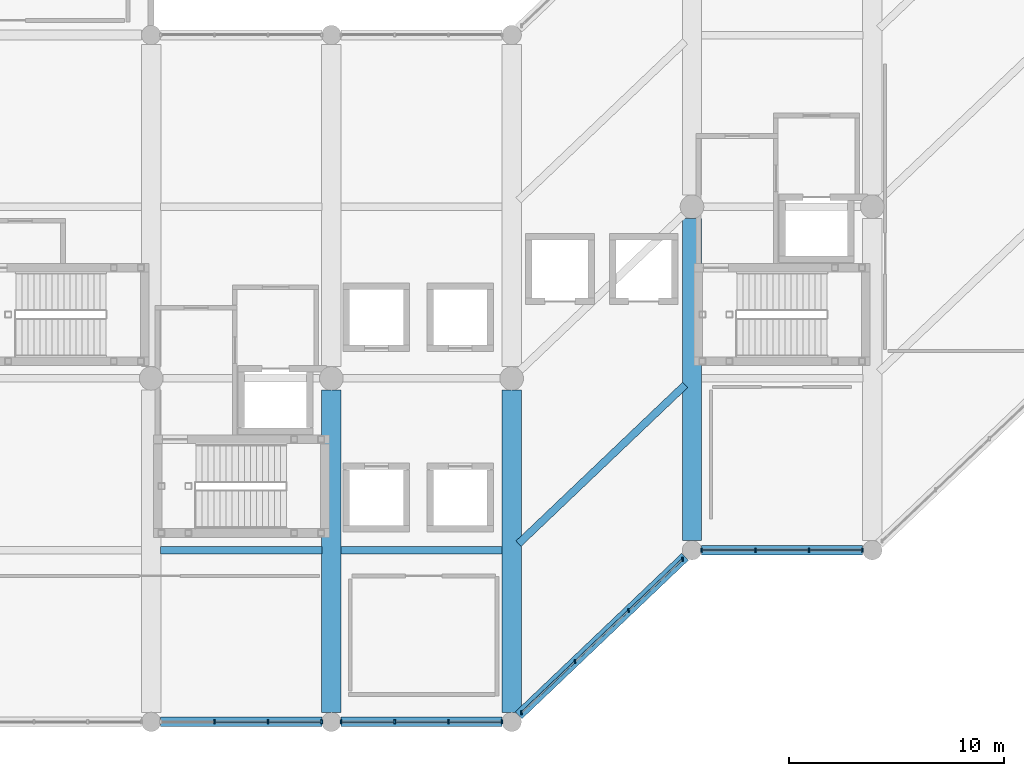
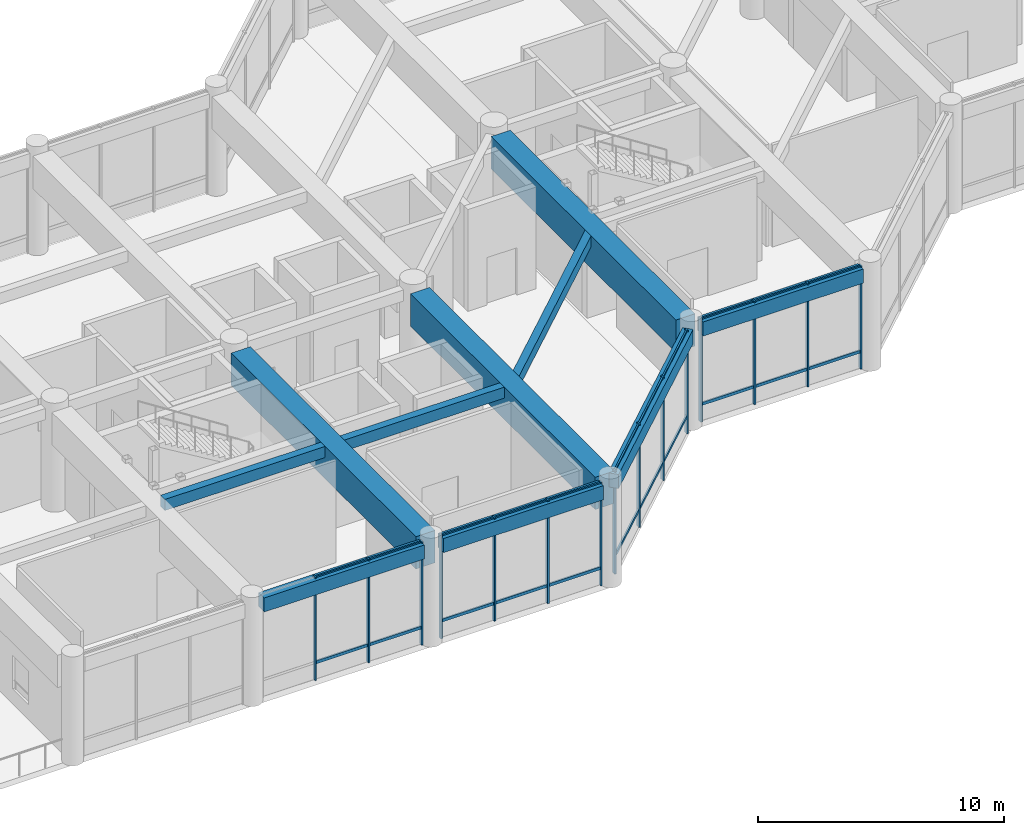
# One storey, part 43 of 79: 37 members, 10 beams, 4 elements without a shape of their own.
"""IFC4 building model written with IfcOpenShell, lengths in metres."""

from ifc_helpers import new_model, si_unit, direction, frame, origin, origin_2d, place, context, subcontext, project, spatial, rectangle, extrude, material, layer, layer_set, material_profile, profile_set, type_object, element, aggregate, save


model = new_model("IFC4")

# Units and contexts
model_context = context("Model", 3, precision=1e-05, world=origin(), true_north=direction((0.0, 1.0)))
body_context = subcontext(model_context, "Body", "Model", "MODEL_VIEW")
ifc_project = project(units=[si_unit("LENGTHUNIT", "METRE"), si_unit("AREAUNIT", "SQUARE_METRE"), si_unit("VOLUMEUNIT", "CUBIC_METRE"), si_unit("PLANEANGLEUNIT", "RADIAN"), si_unit("MASSUNIT", "GRAM", prefix="KILO")], contexts=[model_context])

# Site, building, storey
site_placement = place(None, origin())
site = spatial("IfcSite", under=ifc_project, at=site_placement, CompositionType="ELEMENT")
building_placement = place(site_placement, origin())
building = spatial("IfcBuilding", under=site, at=building_placement, Name="Naruveol Harbour Congress Hotel", CompositionType="ELEMENT")
storey_placement = place(building_placement, frame((0.0, 0.0, 6.0)))
storey = spatial("IfcBuildingStorey", under=building, at=storey_placement, Name="L01", CompositionType="ELEMENT", Elevation=6.0)

# Beams
ifc_material_1 = material(Name="Concrete C40/50", Category="concrete")
ifc_material_profile_1 = material_profile(ifc_material_1, rectangle(XDim=0.35009765625, YDim=0.550048828125, at=origin_2d()), Name="RCB-350x550")
ifc_profile_set_1 = profile_set([ifc_material_profile_1], Name="Concrete C40/50")
beam_type_1 = type_object("IfcBeamType", Name="RC SECONDARY BEAM 350X550", PredefinedType="JOIST", material=ifc_profile_set_1)
beam_1_placement = place(storey_placement, frame((126.44091796875, 8.0, 4.77490234375), z_axis=(1.0, 0.0, 0.0), x_axis=(0.0, 1.0, 0.0)))
element("IfcBeam", 1, at=beam_1_placement, inside=storey, type_object=beam_type_1, Name="Hotel chord beam L02 CJ1", PredefinedType="JOIST", context=body_context, shape_type="SweptSolid", body=[
    extrude(rectangle(XDim=0.35009765625, YDim=0.550048828125, at=origin_2d()), origin(), (0.0, 0.0, 1.0), 7.51806640625),
])
beam_2_placement = place(storey_placement, frame((134.841064453125, 8.0, 4.77490234375), z_axis=(1.0, 0.0, 0.0), x_axis=(0.0, 1.0, 0.0)))
element("IfcBeam", 2, at=beam_2_placement, inside=storey, type_object=beam_type_1, Name="Hotel chord beam L02 CJ1", PredefinedType="JOIST", context=body_context, shape_type="SweptSolid", body=[
    extrude(rectangle(XDim=0.35009765625, YDim=0.550048828125, at=origin_2d()), origin(), (0.0, 0.0, 1.0), 7.517822265625),
])
beam_3_placement = place(storey_placement, frame((143.119384765625, 8.30419921875, 4.77490234375), z_axis=(0.724140097867, 0.689652897232, 0.0), x_axis=(-0.689652897232, 0.724140097867, 0.0)))
element("IfcBeam", 3, at=beam_3_placement, inside=storey, type_object=beam_type_1, Name="Hotel chord beam L02 CJ1", PredefinedType="JOIST", context=body_context, shape_type="SweptSolid", body=[
    extrude(rectangle(XDim=0.35009765625, YDim=0.550048828125, at=origin_2d()), origin(), (0.0, 0.0, 1.0), 10.7177734375),
])
ifc_material_2 = material(Name="Concrete C40/50", Category="concrete")
ifc_material_profile_2 = material_profile(ifc_material_2, rectangle(XDim=0.449951171875, YDim=0.699951171875, at=origin_2d()), Name="RCB-450x700")
ifc_profile_set_2 = profile_set([ifc_material_profile_2], Name="Concrete C40/50")
beam_type_2 = type_object("IfcBeamType", Name="RC SPANDREL BEAM 450X700", PredefinedType="SPANDREL", material=ifc_profile_set_2)
for number, where, z_axis, x_axis, name in (
    (4, (126.446044921875, 0.0, 4.699951171875), (1.0, 0.0, 0.0), (0.0, 1.0, 0.0), "Hotel chord beam L02 SPB1"),
    (5, (134.845947265625, 0.0, 4.699951171875), (1.0, 0.0, 0.0), (0.0, 1.0, 0.0), "Hotel chord beam L02 SPB1"),
):
    element("IfcBeam", number, at=place(storey_placement, frame(where, z_axis=z_axis, x_axis=x_axis)), inside=storey, type_object=beam_type_2, Name=name, PredefinedType="SPANDREL", context=body_context, shape_type="SweptSolid", body=[
        extrude(rectangle(XDim=0.449951171875, YDim=0.699951171875, at=origin_2d()), origin(), (0.0, 0.0, 1.0), 7.508056640625),
    ])
beam_4_placement = place(storey_placement, frame((143.123046875, 0.3076171875, 4.699951171875), z_axis=(0.724133593293, 0.689659727013, 0.0), x_axis=(-0.689659727013, 0.724133593293, 0.0)))
element("IfcBeam", 6, at=beam_4_placement, inside=storey, type_object=beam_type_2, Name="Hotel chord beam L02 SPB1", PredefinedType="SPANDREL", context=body_context, shape_type="SweptSolid", body=[
    extrude(rectangle(XDim=0.449951171875, YDim=0.699951171875, at=origin_2d()), origin(), (0.0, 0.0, 1.0), 10.707763671875),
])
beam_5_placement = place(storey_placement, frame((151.64599609375, 8.0, 4.699951171875), z_axis=(1.0, 0.0, 0.0), x_axis=(0.0, 1.0, 0.0)))
element("IfcBeam", 7, at=beam_5_placement, inside=storey, type_object=beam_type_2, Name="Hotel chord beam L02 SPB1", PredefinedType="SPANDREL", context=body_context, shape_type="SweptSolid", body=[
    extrude(rectangle(XDim=0.449951171875, YDim=0.699951171875, at=origin_2d()), origin(), (0.0, 0.0, 1.0), 7.508056640625),
])
ifc_material_3 = material(Name="Concrete C50/60", Category="concrete")
ifc_material_profile_3 = material_profile(ifc_material_3, rectangle(XDim=0.89990234375, YDim=1.60009765625, at=origin_2d()), Name="RCB-900x1600")
ifc_profile_set_3 = profile_set([ifc_material_profile_3], Name="Concrete C50/60")
beam_type_3 = type_object("IfcBeamType", Name="RC TRANSFER GIRDER 900X1600", PredefinedType="BEAM", material=ifc_profile_set_3)
for number, where, z_axis, x_axis, name in (
    (8, (134.39990234375, 0.446044921875, 4.25), (0.0, 1.0, 0.0), (-1.0, 0.0, 0.0), "Hotel L02 transfer girder S2 TG1"),
    (9, (142.800048828125, 0.446044921875, 4.25), (0.0, 1.0, 0.0), (-1.0, 0.0, 0.0), "Hotel L02 transfer girder S3 TG1"),
    (10, (151.199951171875, 8.446044921875, 4.25), (0.0, 1.0, 0.0), (-1.0, 0.0, 0.0), "Hotel L02 transfer girder S4 TG1"),
):
    element("IfcBeam", number, at=place(storey_placement, frame(where, z_axis=z_axis, x_axis=x_axis)), inside=storey, type_object=beam_type_3, Name=name, PredefinedType="BEAM", context=body_context, shape_type="SweptSolid", body=[
        extrude(rectangle(XDim=0.89990234375, YDim=1.60009765625, at=origin_2d()), origin(), (0.0, 0.0, 1.0), 15.008056640625),
    ])

# Curtain wall, members
ifc_material_4 = material(Name="Low-E Curtain Wall System", Category="glass")
ifc_layer_1 = layer(ifc_material_4, 0.179931640625)
ifc_layer_set_1 = layer_set([ifc_layer_1], Name="Low-E Curtain Wall System")
curtain_wall_type_1 = type_object("IfcCurtainWallType", Name="UNITISED CURTAIN WALL CW-V5S-50 7500X5120", PredefinedType="USERDEFINED", material=ifc_layer_set_1)
curtain_wall_1_placement = place(storey_placement, origin())
curtain_wall_1 = element("IfcCurtainWall", 11, at=curtain_wall_1_placement, inside=storey, type_object=curtain_wall_type_1, Name="Unitised curtain wall CW-V5S-50 L01", ObjectType="UNITISED GLAZING", PredefinedType="USERDEFINED")
ifc_material_5 = material(Name="Anodised Aluminium 6063-T6", Category="aluminium")
ifc_material_profile_4 = material_profile(ifc_material_5, rectangle(XDim=0.074951171875, YDim=0.179931640625, at=origin_2d()), Name="ALU-75x180")
ifc_profile_set_4 = profile_set([ifc_material_profile_4], Name="Anodised Aluminium 6063-T6")
member_type_1 = type_object("IfcMemberType", Name="THERMAL ALUMINIUM MULLION 75X180", PredefinedType="MULLION", material=ifc_profile_set_4)
member_1_placement = place(storey_placement, frame((133.949951171875, 0.0, 0.0), z_axis=(0.0, 0.0, 1.0), x_axis=(1.0, 0.0, 0.0)))
member_1 = element("IfcMember", 12, at=member_1_placement, type_object=member_type_1, Name="Curtain wall mullion CW-L01-0137-M0", PredefinedType="MULLION", context=body_context, shape_type="SweptSolid", body=[
    extrude(rectangle(XDim=0.074951171875, YDim=0.179931640625, at=origin_2d()), origin(), (0.0, 0.0, 1.0), 5.1201171875),
])
member_2_placement = place(storey_placement, frame((131.449951171875, 0.0, 0.0), z_axis=(0.0, 0.0, 1.0), x_axis=(1.0, 0.0, 0.0)))
member_2 = element("IfcMember", 13, at=member_2_placement, type_object=member_type_1, Name="Curtain wall mullion CW-L01-0137-M1", PredefinedType="MULLION", context=body_context, shape_type="SweptSolid", body=[
    extrude(rectangle(XDim=0.074951171875, YDim=0.179931640625, at=origin_2d()), origin(), (0.0, 0.0, 1.0), 5.1201171875),
])
member_3_placement = place(storey_placement, frame((128.949951171875, 0.0, 0.0), z_axis=(0.0, 0.0, 1.0), x_axis=(1.0, 0.0, 0.0)))
member_3 = element("IfcMember", 14, at=member_3_placement, type_object=member_type_1, Name="Curtain wall mullion CW-L01-0137-M2", PredefinedType="MULLION", context=body_context, shape_type="SweptSolid", body=[
    extrude(rectangle(XDim=0.074951171875, YDim=0.179931640625, at=origin_2d()), origin(), (0.0, 0.0, 1.0), 5.1201171875),
])

curtain_wall_2_placement = place(storey_placement, origin())
curtain_wall_2 = element("IfcCurtainWall", 15, at=curtain_wall_2_placement, inside=storey, type_object=curtain_wall_type_1, Name="Unitised curtain wall CW-V5S-50 L01", ObjectType="UNITISED GLAZING", PredefinedType="USERDEFINED")
member_4_placement = place(storey_placement, frame((142.35009765625, 0.0, 0.0), z_axis=(0.0, 0.0, 1.0), x_axis=(1.0, 0.0, 0.0)))
member_4 = element("IfcMember", 16, at=member_4_placement, type_object=member_type_1, Name="Curtain wall mullion CW-L01-0139-M0", PredefinedType="MULLION", context=body_context, shape_type="SweptSolid", body=[
    extrude(rectangle(XDim=0.074951171875, YDim=0.179931640625, at=origin_2d()), origin(), (0.0, 0.0, 1.0), 5.1201171875),
])
member_5_placement = place(storey_placement, frame((139.85009765625, 0.0, 0.0), z_axis=(0.0, 0.0, 1.0), x_axis=(1.0, 0.0, 0.0)))
member_5 = element("IfcMember", 17, at=member_5_placement, type_object=member_type_1, Name="Curtain wall mullion CW-L01-0139-M1", PredefinedType="MULLION", context=body_context, shape_type="SweptSolid", body=[
    extrude(rectangle(XDim=0.074951171875, YDim=0.179931640625, at=origin_2d()), origin(), (0.0, 0.0, 1.0), 5.1201171875),
])
member_6_placement = place(storey_placement, frame((137.35009765625, 0.0, 0.0), z_axis=(0.0, 0.0, 1.0), x_axis=(1.0, 0.0, 0.0)))
member_6 = element("IfcMember", 18, at=member_6_placement, type_object=member_type_1, Name="Curtain wall mullion CW-L01-0139-M2", PredefinedType="MULLION", context=body_context, shape_type="SweptSolid", body=[
    extrude(rectangle(XDim=0.074951171875, YDim=0.179931640625, at=origin_2d()), origin(), (0.0, 0.0, 1.0), 5.1201171875),
])
member_7_placement = place(storey_placement, frame((134.85009765625, 0.0, 0.0), z_axis=(0.0, 0.0, 1.0), x_axis=(1.0, 0.0, 0.0)))
member_7 = element("IfcMember", 19, at=member_7_placement, type_object=member_type_1, Name="Curtain wall mullion CW-L01-0139-M3", PredefinedType="MULLION", context=body_context, shape_type="SweptSolid", body=[
    extrude(rectangle(XDim=0.074951171875, YDim=0.179931640625, at=origin_2d()), origin(), (0.0, 0.0, 1.0), 5.1201171875),
])

ifc_material_6 = material(Name="Low-E Curtain Wall System", Category="glass")
ifc_layer_2 = layer(ifc_material_6, 0.179931640625)
ifc_layer_set_2 = layer_set([ifc_layer_2], Name="Low-E Curtain Wall System")
curtain_wall_type_2 = type_object("IfcCurtainWallType", Name="UNITISED CURTAIN WALL CW-V5S-52 10357X5120", PredefinedType="USERDEFINED", material=ifc_layer_set_2)
curtain_wall_3_placement = place(storey_placement, origin())
curtain_wall_3 = element("IfcCurtainWall", 20, at=curtain_wall_3_placement, inside=storey, type_object=curtain_wall_type_2, Name="Unitised curtain wall CW-V5S-52 L01", ObjectType="UNITISED GLAZING", PredefinedType="USERDEFINED")
member_8_placement = place(storey_placement, frame((150.75, 7.571044921875, 0.0), z_axis=(0.0, 0.0, 1.0), x_axis=(1.0, 0.0, 0.0)))
member_8 = element("IfcMember", 21, at=member_8_placement, type_object=member_type_1, Name="Curtain wall mullion CW-L01-0141-M0", PredefinedType="MULLION", context=body_context, shape_type="SweptSolid", body=[
    extrude(rectangle(XDim=0.074951171875, YDim=0.179931640625, at=origin_2d()), origin(), (0.0, 0.0, 1.0), 5.1201171875),
])
member_9_placement = place(storey_placement, frame((148.25, 5.190185546875, 0.0), z_axis=(0.0, 0.0, 1.0), x_axis=(1.0, 0.0, 0.0)))
member_9 = element("IfcMember", 22, at=member_9_placement, type_object=member_type_1, Name="Curtain wall mullion CW-L01-0141-M1", PredefinedType="MULLION", context=body_context, shape_type="SweptSolid", body=[
    extrude(rectangle(XDim=0.074951171875, YDim=0.179931640625, at=origin_2d()), origin(), (0.0, 0.0, 1.0), 5.1201171875),
])
member_10_placement = place(storey_placement, frame((145.75, 2.809814453125, 0.0), z_axis=(0.0, 0.0, 1.0), x_axis=(1.0, 0.0, 0.0)))
member_10 = element("IfcMember", 23, at=member_10_placement, type_object=member_type_1, Name="Curtain wall mullion CW-L01-0141-M2", PredefinedType="MULLION", context=body_context, shape_type="SweptSolid", body=[
    extrude(rectangle(XDim=0.074951171875, YDim=0.179931640625, at=origin_2d()), origin(), (0.0, 0.0, 1.0), 5.1201171875),
])
member_11_placement = place(storey_placement, frame((143.25, 0.428955078125, 0.0), z_axis=(0.0, 0.0, 1.0), x_axis=(1.0, 0.0, 0.0)))
member_11 = element("IfcMember", 24, at=member_11_placement, type_object=member_type_1, Name="Curtain wall mullion CW-L01-0141-M3", PredefinedType="MULLION", context=body_context, shape_type="SweptSolid", body=[
    extrude(rectangle(XDim=0.074951171875, YDim=0.179931640625, at=origin_2d()), origin(), (0.0, 0.0, 1.0), 5.1201171875),
])

curtain_wall_4_placement = place(storey_placement, origin())
curtain_wall_4 = element("IfcCurtainWall", 25, at=curtain_wall_4_placement, inside=storey, type_object=curtain_wall_type_1, Name="Unitised curtain wall CW-V5S-50 L01", ObjectType="UNITISED GLAZING", PredefinedType="USERDEFINED")
member_12_placement = place(storey_placement, frame((159.14990234375, 8.0, 0.0), z_axis=(0.0, 0.0, 1.0), x_axis=(1.0, 0.0, 0.0)))
member_12 = element("IfcMember", 26, at=member_12_placement, type_object=member_type_1, Name="Curtain wall mullion CW-L01-0143-M0", PredefinedType="MULLION", context=body_context, shape_type="SweptSolid", body=[
    extrude(rectangle(XDim=0.074951171875, YDim=0.179931640625, at=origin_2d()), origin(), (0.0, 0.0, 1.0), 5.1201171875),
])
member_13_placement = place(storey_placement, frame((156.64990234375, 8.0, 0.0), z_axis=(0.0, 0.0, 1.0), x_axis=(1.0, 0.0, 0.0)))
member_13 = element("IfcMember", 27, at=member_13_placement, type_object=member_type_1, Name="Curtain wall mullion CW-L01-0143-M1", PredefinedType="MULLION", context=body_context, shape_type="SweptSolid", body=[
    extrude(rectangle(XDim=0.074951171875, YDim=0.179931640625, at=origin_2d()), origin(), (0.0, 0.0, 1.0), 5.1201171875),
])
member_14_placement = place(storey_placement, frame((154.14990234375, 8.0, 0.0), z_axis=(0.0, 0.0, 1.0), x_axis=(1.0, 0.0, 0.0)))
member_14 = element("IfcMember", 28, at=member_14_placement, type_object=member_type_1, Name="Curtain wall mullion CW-L01-0143-M2", PredefinedType="MULLION", context=body_context, shape_type="SweptSolid", body=[
    extrude(rectangle(XDim=0.074951171875, YDim=0.179931640625, at=origin_2d()), origin(), (0.0, 0.0, 1.0), 5.1201171875),
])
member_15_placement = place(storey_placement, frame((151.64990234375, 8.0, 0.0), z_axis=(0.0, 0.0, 1.0), x_axis=(1.0, 0.0, 0.0)))
member_15 = element("IfcMember", 29, at=member_15_placement, type_object=member_type_1, Name="Curtain wall mullion CW-L01-0143-M3", PredefinedType="MULLION", context=body_context, shape_type="SweptSolid", body=[
    extrude(rectangle(XDim=0.074951171875, YDim=0.179931640625, at=origin_2d()), origin(), (0.0, 0.0, 1.0), 5.1201171875),
])

# Member
ifc_material_7 = material(Name="Anodised Aluminium 6063-T6", Category="aluminium")
ifc_material_profile_5 = material_profile(ifc_material_7, rectangle(XDim=0.074951171875, YDim=0.14990234375, at=origin_2d()), Name="ALU-75x150")
ifc_profile_set_5 = profile_set([ifc_material_profile_5], Name="Anodised Aluminium 6063-T6")
member_type_2 = type_object("IfcMemberType", Name="THERMAL ALUMINIUM TRANSOM 75X150", PredefinedType="USERDEFINED", material=ifc_profile_set_5)
member_16_placement = place(storey_placement, frame((133.909912109375, 0.0, 0.85009765625), z_axis=(-1.0, 0.0, 0.0), x_axis=(0.0, -1.0, 0.0)))
member_16 = element("IfcMember", 30, at=member_16_placement, type_object=member_type_2, Name="Curtain wall transom CW-L01-0137-T0.1", ObjectType="TRANSOM", PredefinedType="USERDEFINED", context=body_context, shape_type="SweptSolid", body=[
    extrude(rectangle(XDim=0.074951171875, YDim=0.14990234375, at=origin_2d()), origin(), (0.0, 0.0, 1.0), 2.419921875),
])

member_17_placement = place(storey_placement, frame((133.909912109375, 0.0, 5.0400390625), z_axis=(-1.0, 0.0, 0.0), x_axis=(0.0, -1.0, 0.0)))
member_17 = element("IfcMember", 31, at=member_17_placement, type_object=member_type_2, Name="Curtain wall transom CW-L01-0137-T0.2", ObjectType="TRANSOM", PredefinedType="USERDEFINED", context=body_context, shape_type="SweptSolid", body=[
    extrude(rectangle(XDim=0.074951171875, YDim=0.14990234375, at=origin_2d()), origin(), (0.0, 0.0, 1.0), 2.419921875),
])

member_18_placement = place(storey_placement, frame((131.409912109375, 0.0, 0.85009765625), z_axis=(-1.0, 0.0, 0.0), x_axis=(0.0, -1.0, 0.0)))
member_18 = element("IfcMember", 32, at=member_18_placement, type_object=member_type_2, Name="Curtain wall transom CW-L01-0137-T1.1", ObjectType="TRANSOM", PredefinedType="USERDEFINED", context=body_context, shape_type="SweptSolid", body=[
    extrude(rectangle(XDim=0.074951171875, YDim=0.14990234375, at=origin_2d()), origin(), (0.0, 0.0, 1.0), 2.419921875),
])

member_19_placement = place(storey_placement, frame((131.409912109375, 0.0, 5.0400390625), z_axis=(-1.0, 0.0, 0.0), x_axis=(0.0, -1.0, 0.0)))
member_19 = element("IfcMember", 33, at=member_19_placement, type_object=member_type_2, Name="Curtain wall transom CW-L01-0137-T1.2", ObjectType="TRANSOM", PredefinedType="USERDEFINED", context=body_context, shape_type="SweptSolid", body=[
    extrude(rectangle(XDim=0.074951171875, YDim=0.14990234375, at=origin_2d()), origin(), (0.0, 0.0, 1.0), 2.419921875),
])

aggregate(curtain_wall_1, [member_1, member_2, member_3, member_16, member_17, member_18, member_19])

member_20_placement = place(storey_placement, frame((142.31005859375, 0.0, 0.85009765625), z_axis=(-1.0, 0.0, 0.0), x_axis=(0.0, -1.0, 0.0)))
member_20 = element("IfcMember", 34, at=member_20_placement, type_object=member_type_2, Name="Curtain wall transom CW-L01-0139-T0.1", ObjectType="TRANSOM", PredefinedType="USERDEFINED", context=body_context, shape_type="SweptSolid", body=[
    extrude(rectangle(XDim=0.074951171875, YDim=0.14990234375, at=origin_2d()), origin(), (0.0, 0.0, 1.0), 2.420166015625),
])

member_21_placement = place(storey_placement, frame((142.31005859375, 0.0, 5.0400390625), z_axis=(-1.0, 0.0, 0.0), x_axis=(0.0, -1.0, 0.0)))
member_21 = element("IfcMember", 35, at=member_21_placement, type_object=member_type_2, Name="Curtain wall transom CW-L01-0139-T0.2", ObjectType="TRANSOM", PredefinedType="USERDEFINED", context=body_context, shape_type="SweptSolid", body=[
    extrude(rectangle(XDim=0.074951171875, YDim=0.14990234375, at=origin_2d()), origin(), (0.0, 0.0, 1.0), 2.420166015625),
])

member_22_placement = place(storey_placement, frame((139.81005859375, 0.0, 0.85009765625), z_axis=(-1.0, 0.0, 0.0), x_axis=(0.0, -1.0, 0.0)))
member_22 = element("IfcMember", 36, at=member_22_placement, type_object=member_type_2, Name="Curtain wall transom CW-L01-0139-T1.1", ObjectType="TRANSOM", PredefinedType="USERDEFINED", context=body_context, shape_type="SweptSolid", body=[
    extrude(rectangle(XDim=0.074951171875, YDim=0.14990234375, at=origin_2d()), origin(), (0.0, 0.0, 1.0), 2.420166015625),
])

member_23_placement = place(storey_placement, frame((139.81005859375, 0.0, 5.0400390625), z_axis=(-1.0, 0.0, 0.0), x_axis=(0.0, -1.0, 0.0)))
member_23 = element("IfcMember", 37, at=member_23_placement, type_object=member_type_2, Name="Curtain wall transom CW-L01-0139-T1.2", ObjectType="TRANSOM", PredefinedType="USERDEFINED", context=body_context, shape_type="SweptSolid", body=[
    extrude(rectangle(XDim=0.074951171875, YDim=0.14990234375, at=origin_2d()), origin(), (0.0, 0.0, 1.0), 2.420166015625),
])

member_24_placement = place(storey_placement, frame((137.31005859375, 0.0, 0.85009765625), z_axis=(-1.0, 0.0, 0.0), x_axis=(0.0, -1.0, 0.0)))
member_24 = element("IfcMember", 38, at=member_24_placement, type_object=member_type_2, Name="Curtain wall transom CW-L01-0139-T2.1", ObjectType="TRANSOM", PredefinedType="USERDEFINED", context=body_context, shape_type="SweptSolid", body=[
    extrude(rectangle(XDim=0.074951171875, YDim=0.14990234375, at=origin_2d()), origin(), (0.0, 0.0, 1.0), 2.420166015625),
])

member_25_placement = place(storey_placement, frame((137.31005859375, 0.0, 5.0400390625), z_axis=(-1.0, 0.0, 0.0), x_axis=(0.0, -1.0, 0.0)))
member_25 = element("IfcMember", 39, at=member_25_placement, type_object=member_type_2, Name="Curtain wall transom CW-L01-0139-T2.2", ObjectType="TRANSOM", PredefinedType="USERDEFINED", context=body_context, shape_type="SweptSolid", body=[
    extrude(rectangle(XDim=0.074951171875, YDim=0.14990234375, at=origin_2d()), origin(), (0.0, 0.0, 1.0), 2.420166015625),
])

aggregate(curtain_wall_2, [member_4, member_5, member_6, member_7, member_20, member_21, member_22, member_23, member_24, member_25])

member_26_placement = place(storey_placement, frame((150.720947265625, 7.54345703125, 0.85009765625), z_axis=(-0.7241637576, -0.689628053503, 0.0), x_axis=(0.689628053503, -0.7241637576, 0.0)))
member_26 = element("IfcMember", 40, at=member_26_placement, type_object=member_type_2, Name="Curtain wall transom CW-L01-0141-T0.1", ObjectType="TRANSOM", PredefinedType="USERDEFINED", context=body_context, shape_type="SweptSolid", body=[
    extrude(rectangle(XDim=0.074951171875, YDim=0.14990234375, at=origin_2d()), origin(), (0.0, 0.0, 1.0), 3.3720703125),
])

member_27_placement = place(storey_placement, frame((150.720947265625, 7.54345703125, 5.0400390625), z_axis=(-0.7241637576, -0.689628053503, 0.0), x_axis=(0.689628053503, -0.7241637576, 0.0)))
member_27 = element("IfcMember", 41, at=member_27_placement, type_object=member_type_2, Name="Curtain wall transom CW-L01-0141-T0.2", ObjectType="TRANSOM", PredefinedType="USERDEFINED", context=body_context, shape_type="SweptSolid", body=[
    extrude(rectangle(XDim=0.074951171875, YDim=0.14990234375, at=origin_2d()), origin(), (0.0, 0.0, 1.0), 3.3720703125),
])

member_28_placement = place(storey_placement, frame((148.220947265625, 5.162841796875, 0.85009765625), z_axis=(-0.72412760064, -0.689666019166, 0.0), x_axis=(0.689666019166, -0.72412760064, 0.0)))
member_28 = element("IfcMember", 42, at=member_28_placement, type_object=member_type_2, Name="Curtain wall transom CW-L01-0141-T1.1", ObjectType="TRANSOM", PredefinedType="USERDEFINED", context=body_context, shape_type="SweptSolid", body=[
    extrude(rectangle(XDim=0.074951171875, YDim=0.14990234375, at=origin_2d()), origin(), (0.0, 0.0, 1.0), 3.3720703125),
])

member_29_placement = place(storey_placement, frame((148.220947265625, 5.162841796875, 5.0400390625), z_axis=(-0.72412760064, -0.689666019166, 0.0), x_axis=(0.689666019166, -0.72412760064, 0.0)))
member_29 = element("IfcMember", 43, at=member_29_placement, type_object=member_type_2, Name="Curtain wall transom CW-L01-0141-T1.2", ObjectType="TRANSOM", PredefinedType="USERDEFINED", context=body_context, shape_type="SweptSolid", body=[
    extrude(rectangle(XDim=0.074951171875, YDim=0.14990234375, at=origin_2d()), origin(), (0.0, 0.0, 1.0), 3.3720703125),
])

member_30_placement = place(storey_placement, frame((145.720947265625, 2.781982421875, 0.85009765625), z_axis=(-0.7241637576, -0.689628053503, 0.0), x_axis=(0.689628053503, -0.7241637576, 0.0)))
member_30 = element("IfcMember", 44, at=member_30_placement, type_object=member_type_2, Name="Curtain wall transom CW-L01-0141-T2.1", ObjectType="TRANSOM", PredefinedType="USERDEFINED", context=body_context, shape_type="SweptSolid", body=[
    extrude(rectangle(XDim=0.074951171875, YDim=0.14990234375, at=origin_2d()), origin(), (0.0, 0.0, 1.0), 3.3720703125),
])

member_31_placement = place(storey_placement, frame((145.720947265625, 2.781982421875, 5.0400390625), z_axis=(-0.7241637576, -0.689628053503, 0.0), x_axis=(0.689628053503, -0.7241637576, 0.0)))
member_31 = element("IfcMember", 45, at=member_31_placement, type_object=member_type_2, Name="Curtain wall transom CW-L01-0141-T2.2", ObjectType="TRANSOM", PredefinedType="USERDEFINED", context=body_context, shape_type="SweptSolid", body=[
    extrude(rectangle(XDim=0.074951171875, YDim=0.14990234375, at=origin_2d()), origin(), (0.0, 0.0, 1.0), 3.3720703125),
])

aggregate(curtain_wall_3, [member_8, member_9, member_10, member_11, member_26, member_27, member_28, member_29, member_30, member_31])

member_32_placement = place(storey_placement, frame((159.110107421875, 8.0, 0.85009765625), z_axis=(-1.0, 0.0, 0.0), x_axis=(0.0, -1.0, 0.0)))
member_32 = element("IfcMember", 46, at=member_32_placement, type_object=member_type_2, Name="Curtain wall transom CW-L01-0143-T0.1", ObjectType="TRANSOM", PredefinedType="USERDEFINED", context=body_context, shape_type="SweptSolid", body=[
    extrude(rectangle(XDim=0.074951171875, YDim=0.14990234375, at=origin_2d()), origin(), (0.0, 0.0, 1.0), 2.420166015625),
])

member_33_placement = place(storey_placement, frame((159.110107421875, 8.0, 5.0400390625), z_axis=(-1.0, 0.0, 0.0), x_axis=(0.0, -1.0, 0.0)))
member_33 = element("IfcMember", 47, at=member_33_placement, type_object=member_type_2, Name="Curtain wall transom CW-L01-0143-T0.2", ObjectType="TRANSOM", PredefinedType="USERDEFINED", context=body_context, shape_type="SweptSolid", body=[
    extrude(rectangle(XDim=0.074951171875, YDim=0.14990234375, at=origin_2d()), origin(), (0.0, 0.0, 1.0), 2.420166015625),
])

member_34_placement = place(storey_placement, frame((156.610107421875, 8.0, 0.85009765625), z_axis=(-1.0, 0.0, 0.0), x_axis=(0.0, -1.0, 0.0)))
member_34 = element("IfcMember", 48, at=member_34_placement, type_object=member_type_2, Name="Curtain wall transom CW-L01-0143-T1.1", ObjectType="TRANSOM", PredefinedType="USERDEFINED", context=body_context, shape_type="SweptSolid", body=[
    extrude(rectangle(XDim=0.074951171875, YDim=0.14990234375, at=origin_2d()), origin(), (0.0, 0.0, 1.0), 2.420166015625),
])

member_35_placement = place(storey_placement, frame((156.610107421875, 8.0, 5.0400390625), z_axis=(-1.0, 0.0, 0.0), x_axis=(0.0, -1.0, 0.0)))
member_35 = element("IfcMember", 49, at=member_35_placement, type_object=member_type_2, Name="Curtain wall transom CW-L01-0143-T1.2", ObjectType="TRANSOM", PredefinedType="USERDEFINED", context=body_context, shape_type="SweptSolid", body=[
    extrude(rectangle(XDim=0.074951171875, YDim=0.14990234375, at=origin_2d()), origin(), (0.0, 0.0, 1.0), 2.420166015625),
])

member_36_placement = place(storey_placement, frame((154.110107421875, 8.0, 0.85009765625), z_axis=(-1.0, 0.0, 0.0), x_axis=(0.0, -1.0, 0.0)))
member_36 = element("IfcMember", 50, at=member_36_placement, type_object=member_type_2, Name="Curtain wall transom CW-L01-0143-T2.1", ObjectType="TRANSOM", PredefinedType="USERDEFINED", context=body_context, shape_type="SweptSolid", body=[
    extrude(rectangle(XDim=0.074951171875, YDim=0.14990234375, at=origin_2d()), origin(), (0.0, 0.0, 1.0), 2.420166015625),
])

member_37_placement = place(storey_placement, frame((154.110107421875, 8.0, 5.0400390625), z_axis=(-1.0, 0.0, 0.0), x_axis=(0.0, -1.0, 0.0)))
member_37 = element("IfcMember", 51, at=member_37_placement, type_object=member_type_2, Name="Curtain wall transom CW-L01-0143-T2.2", ObjectType="TRANSOM", PredefinedType="USERDEFINED", context=body_context, shape_type="SweptSolid", body=[
    extrude(rectangle(XDim=0.074951171875, YDim=0.14990234375, at=origin_2d()), origin(), (0.0, 0.0, 1.0), 2.420166015625),
])

aggregate(curtain_wall_4, [member_12, member_13, member_14, member_15, member_32, member_33, member_34, member_35, member_36, member_37])

save(model, "model.ifc")
